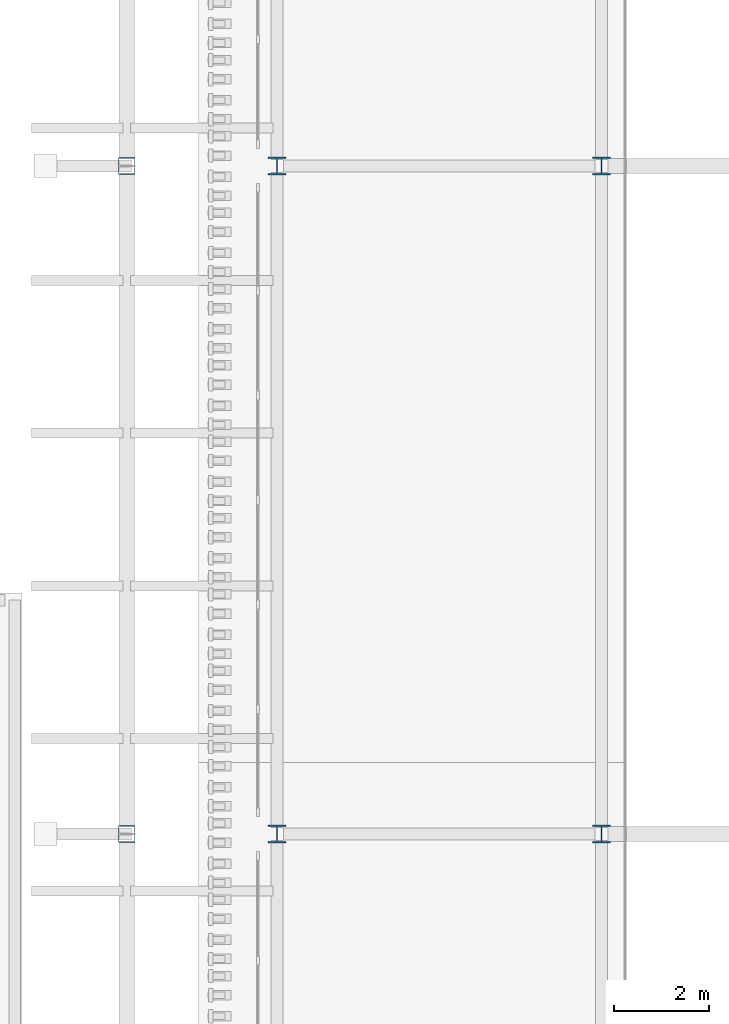
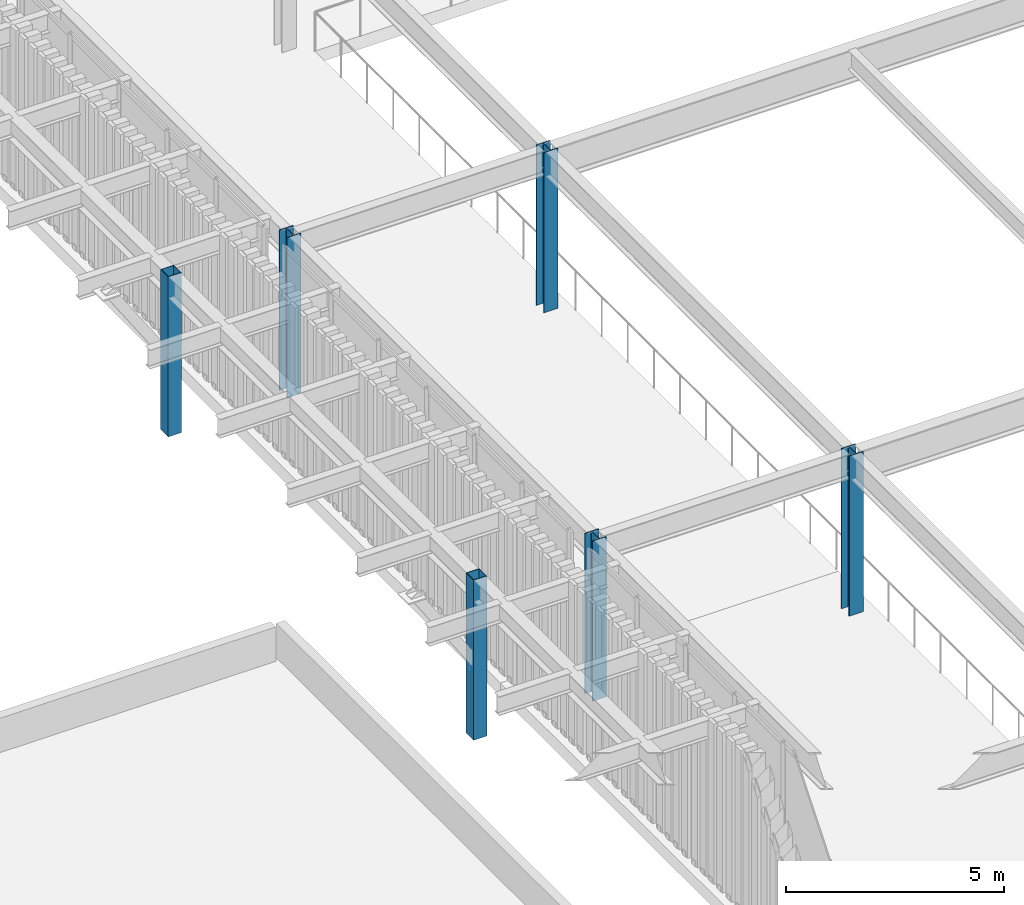
# One storey, part 6 of 126: 6 columns.
"""IFC4 building model written with IfcOpenShell, lengths in metres."""

import ifcopenshell
import ifcopenshell.guid

model = None  # the IFC model being written
_history = None  # IfcOwnerHistory: only IFC2X3 demands one
_inside = {}  # id of a spatial element -> (the spatial element, [elements in it])
_under = {}  # id of a project, library or spatial element -> (it, [spatial elements below it])
_declared = {}  # id of a project -> (the project, [libraries it declares])
_typed = {}  # id of a type object -> (the type object, [elements of that type])
_made_of = {}  # id of a material, layer set ... -> (it, [elements and type objects made of it])


def new_model(schema):
    """Start an empty IFC model of exactly this schema.

    Asked for "IFC4X3", IfcOpenShell would pick the latest addendum, in which some entities
    have other attributes; the version numbers below select the first issue.
    IFC2X3 requires an IfcOwnerHistory on every rooted entity: one is made here for all.
    """
    global model, _history
    if schema == "IFC4X3":
        model = ifcopenshell.file(schema_version=(4, 3, 0, 0))
    else:
        model = ifcopenshell.file(schema=schema)
    _inside.clear()
    _under.clear()
    _declared.clear()
    _typed.clear()
    _made_of.clear()
    _history = None
    if model.schema == "IFC2X3":
        org = make("IfcOrganization", Name="unknown")
        user = make(
            "IfcPersonAndOrganization",
            ThePerson=make("IfcPerson", FamilyName="unknown"),
            TheOrganization=org,
        )
        app = make(
            "IfcApplication",
            ApplicationDeveloper=org,
            Version="unknown",
            ApplicationFullName="unknown",
            ApplicationIdentifier="unknown",
        )
        _history = make(
            "IfcOwnerHistory",
            OwningUser=user,
            OwningApplication=app,
            ChangeAction="ADDED",
            CreationDate=0,
        )
    return model


def make(cls, **values):
    """One entity of the class cls with the attributes given. An attribute that is None is left unset."""
    return model.create_entity(
        cls, **{name: value for name, value in values.items() if value is not None}
    )


def rooted(cls, **values):
    """An entity with a GlobalId (a new one), such as an element, a storey or a relation."""
    return make(cls, GlobalId=ifcopenshell.guid.new(), OwnerHistory=_history, **values)


def si_unit(unit_type, name, prefix=None):
    """IfcSIUnit, for example si_unit("LENGTHUNIT", "METRE", prefix="MILLI")."""
    return make("IfcSIUnit", UnitType=unit_type, Prefix=prefix, Name=name)


def derived_unit(unit_type, elements):
    """IfcDerivedUnit: a product of units, each with its exponent."""
    return make(
        "IfcDerivedUnit",
        Elements=[
            make("IfcDerivedUnitElement", Unit=unit, Exponent=power)
            for unit, power in elements
        ],
        UnitType=unit_type,
    )


def assignment(units):
    """IfcUnitAssignment: the units of a project."""
    return None if units is None else make("IfcUnitAssignment", Units=units)


def point(xyz):
    """IfcCartesianPoint."""
    return None if xyz is None else make("IfcCartesianPoint", Coordinates=xyz)


def direction(xyz):
    """IfcDirection."""
    return None if xyz is None else make("IfcDirection", DirectionRatios=xyz)


def frame(location, z_axis=None, x_axis=None):
    """IfcAxis2Placement3D, a coordinate frame: its origin and axes. An axis left out is left unset."""
    return make(
        "IfcAxis2Placement3D",
        Location=point(location),
        Axis=direction(z_axis),
        RefDirection=direction(x_axis),
    )


def frame_2d(location, x_axis=None):
    """IfcAxis2Placement2D, a coordinate frame in the plane: its origin and x axis."""
    return make(
        "IfcAxis2Placement2D", Location=point(location), RefDirection=direction(x_axis)
    )


def origin():
    """The frame at (0, 0, 0) with its axes left unset."""
    return frame((0.0, 0.0, 0.0))


def origin_2d():
    """The frame at (0, 0) in the plane with its x axis left unset."""
    return frame_2d((0.0, 0.0))


def place(relative_to, where):
    """IfcLocalPlacement: puts the frame where relative to a parent placement (None: the world)."""
    return make(
        "IfcLocalPlacement", PlacementRelTo=relative_to, RelativePlacement=where
    )


def context(
    kind, dimensions, precision=None, world=None, true_north=None, identifier=None
):
    """IfcGeometricRepresentationContext, for example the 3D "Model" context."""
    return make(
        "IfcGeometricRepresentationContext",
        ContextIdentifier=identifier,
        ContextType=kind,
        CoordinateSpaceDimension=dimensions,
        Precision=precision,
        WorldCoordinateSystem=world,
        TrueNorth=true_north,
    )


def subcontext(parent, identifier, kind, view, scale=None):
    """IfcGeometricRepresentationSubContext, for example "Body" below "Model"."""
    return make(
        "IfcGeometricRepresentationSubContext",
        ContextIdentifier=identifier,
        ContextType=kind,
        ParentContext=parent,
        TargetScale=scale,
        TargetView=view,
    )


def project(units=None, contexts=None):
    """IfcProject with its units and contexts."""
    return rooted(
        "IfcProject",
        Name="project",
        RepresentationContexts=contexts,
        UnitsInContext=assignment(units),
    )


def spatial(cls, under=None, at=None, **own):
    """A site, building, storey or space (cls), placed at a placement, below another one or the project."""
    s = rooted(cls, ObjectPlacement=at, **own)
    if under is not None:
        _under.setdefault(under.id(), (under, []))[1].append(s)
    return s


def profile(cls, at=None, kind="AREA", **sizes):
    """A parametric profile (cls). Its sizes go by their IFC names, for example OverallWidth=200.0."""
    return make(cls, ProfileType=kind, Position=at, **sizes)


def hollow_rectangle(**sizes):
    """IfcRectangleHollowProfileDef."""
    return profile("IfcRectangleHollowProfileDef", **sizes)


def i_section(**sizes):
    """IfcIShapeProfileDef."""
    return profile("IfcIShapeProfileDef", **sizes)


def extrude(swept, where, along, depth):
    """IfcExtrudedAreaSolid: the profile swept, set in the frame where, extruded along a direction by depth."""
    return make(
        "IfcExtrudedAreaSolid",
        SweptArea=swept,
        Position=where,
        ExtrudedDirection=direction(along),
        Depth=depth,
    )


def shape(context_of_items, identifier, shape_type, items):
    """IfcShapeRepresentation: the items that make up one representation, for example the "Body"."""
    return make(
        "IfcShapeRepresentation",
        ContextOfItems=context_of_items,
        RepresentationIdentifier=identifier,
        RepresentationType=shape_type,
        Items=items,
    )


def material(Name=None, Category=None):
    """IfcMaterial."""
    return make("IfcMaterial", Name=Name, Category=Category)


def material_profile(
    of_material, cross_section, Name=None, Category=None, Priority=None
):
    """IfcMaterialProfile: a cross section and its material."""
    return make(
        "IfcMaterialProfile",
        Name=Name,
        Material=of_material,
        Profile=cross_section,
        Priority=Priority,
        Category=Category,
    )


def profile_set(profiles, Name=None, composite=None):
    """IfcMaterialProfileSet."""
    return make(
        "IfcMaterialProfileSet",
        Name=Name,
        MaterialProfiles=profiles,
        CompositeProfile=composite,
    )


def made_of(thing, what):
    """Note that an element or type object is made of a material, layer set ...; save() writes the relation."""
    if what is not None:
        _made_of.setdefault(what.id(), (what, []))[1].append(thing)
    return thing


def type_object(cls, material=None, **own):
    """A type object (cls), such as IfcWallType, which elements share."""
    return made_of(rooted(cls, **own), material)


def element(
    cls,
    number,
    at=None,
    inside=None,
    cuts=None,
    type_object=None,
    material=None,
    context=None,
    identifier="Body",
    shape_type=None,
    held_by="IfcProductDefinitionShape",
    body=None,
    shapes=None,
    **own,
):
    """One element of the class cls, such as IfcWall. Its Tag is "e" and its number.

    at: its placement. inside: the storey or other place that contains it. cuts: it is an
    opening in that element (IfcRelVoidsElement). A single representation is given by context,
    identifier, shape_type and body (its items); several are given by shapes. held_by: the class
    of the entity that holds the representations. save() writes the other relations.
    """
    e = rooted(cls, Tag="e%d" % number, ObjectPlacement=at, **own)
    if body is not None:
        shapes = [shape(context, identifier, shape_type, body)]
    if shapes is not None:
        e.Representation = make(held_by, Representations=shapes)
    if inside is not None:
        _inside.setdefault(inside.id(), (inside, []))[1].append(e)
    if cuts is not None:
        rooted(
            "IfcRelVoidsElement", RelatingBuildingElement=cuts, RelatedOpeningElement=e
        )
    if type_object is not None:
        _typed.setdefault(type_object.id(), (type_object, []))[1].append(e)
    return made_of(e, material)


def aggregate(whole, parts):
    """IfcRelAggregates: a whole, such as a stair, and the parts it consists of."""
    return rooted("IfcRelAggregates", RelatingObject=whole, RelatedObjects=parts)


def save(model, path):
    """Write the relations noted so far, then the file.

    IfcRelAggregates (storeys below a building ...), IfcRelContainedInSpatialStructure (elements
    in a storey), IfcRelDefinesByType, IfcRelAssociatesMaterial and IfcRelDeclares: one each for
    every whole, place, type object, material and project.
    """
    for whole, parts in _under.values():
        aggregate(whole, parts)
    for where, things in _inside.values():
        rooted(
            "IfcRelContainedInSpatialStructure",
            RelatedElements=things,
            RelatingStructure=where,
        )
    for kind, things in _typed.values():
        rooted("IfcRelDefinesByType", RelatedObjects=things, RelatingType=kind)
    for what, things in _made_of.values():
        rooted("IfcRelAssociatesMaterial", RelatedObjects=things, RelatingMaterial=what)
    for by, libraries in _declared.values():
        rooted("IfcRelDeclares", RelatingContext=by, RelatedDefinitions=libraries)
    model.write(path)


model = new_model("IFC4")

# Units and contexts
model_context = context("Model", 3, precision=1e-05, world=origin(), true_north=direction((0.0, 1.0)))
body_context = subcontext(model_context, "Body", "Model", "MODEL_VIEW")
ifc_project = project(units=[si_unit("LENGTHUNIT", "METRE"), si_unit("AREAUNIT", "SQUARE_METRE"), si_unit("VOLUMEUNIT", "CUBIC_METRE"), si_unit("PLANEANGLEUNIT", "RADIAN"), si_unit("MASSUNIT", "GRAM", prefix="KILO"), derived_unit("THERMALTRANSMITTANCEUNIT", [(si_unit("MASSUNIT", "GRAM", prefix="KILO"), 1), (si_unit("TIMEUNIT", "SECOND"), -3), (si_unit("THERMODYNAMICTEMPERATUREUNIT", "KELVIN"), -1)])], contexts=[model_context])

# Site, building, storey
site_placement = place(None, origin())
site = spatial("IfcSite", under=ifc_project, at=site_placement, CompositionType="ELEMENT")
building_placement = place(site_placement, origin())
building = spatial("IfcBuilding", under=site, at=building_placement, Name="Valcora Ridge Arena", CompositionType="ELEMENT")
storey_placement = place(building_placement, frame((0.0, 0.0, 11.39990234375)))
storey = spatial("IfcBuildingStorey", under=building, at=storey_placement, Name="L02", CompositionType="ELEMENT", Elevation=11.39990234375)

# Columns
ifc_material_1 = material(Name="Steel ASTM A500 Grade C", Category="steel")
ifc_material_profile_1 = material_profile(ifc_material_1, hollow_rectangle(XDim=0.35009765625, YDim=0.35009765625, WallThickness=0.01611328125, at=origin_2d()), Name="HSS350X350X16")
ifc_profile_set_1 = profile_set([ifc_material_profile_1], Name="Steel ASTM A500 Grade C")
column_type_1 = type_object("IfcColumnType", Name="TY-COLUMN-C-COL350", PredefinedType="COLUMN", material=ifc_profile_set_1)
for number, where, z_axis, x_axis, name in (
    (1, (134.050048828125, 40.0, 0.0), (0.0, 0.0, 1.0), (1.0, 0.0, 0.0), "C-COL350 COL-C-COL350-0012"),
    (2, (134.050048828125, 54.0, 0.0), (0.0, 0.0, 1.0), (1.0, 0.0, 0.0), "C-COL350 COL-C-COL350-0015"),
):
    element("IfcColumn", number, at=place(storey_placement, frame(where, z_axis=z_axis, x_axis=x_axis)), inside=storey, type_object=column_type_1, Name=name, PredefinedType="COLUMN", context=body_context, shape_type="SweptSolid", body=[
        extrude(hollow_rectangle(XDim=0.35009765625, YDim=0.35009765625, WallThickness=0.01611328125, at=origin_2d()), origin(), (0.0, 0.0, 1.0), 4.47998046875),
    ])
ifc_material_2 = material(Name="Steel ASTM A572 Grade 50", Category="steel")
ifc_material_profile_2 = material_profile(ifc_material_2, i_section(OverallWidth=0.3740234375, OverallDepth=0.373046875, WebThickness=0.016357421875, FlangeThickness=0.026123046875, FilletRadius=0.01806640625, at=origin_2d()), Name="W14X132")
ifc_profile_set_2 = profile_set([ifc_material_profile_2], Name="Steel ASTM A572 Grade 50")
column_type_2 = type_object("IfcColumnType", Name="TY-COLUMN-C-STL14B", PredefinedType="COLUMN", material=ifc_profile_set_2)
for number, where, z_axis, x_axis, name in (
    (3, (137.199951171875, 40.0, 0.0), (0.0, 0.0, 1.0), (1.0, 0.0, 0.0), "C-STL14B COL-C-STL14B-0008"),
    (4, (137.199951171875, 54.0, 0.0), (0.0, 0.0, 1.0), (1.0, 0.0, 0.0), "C-STL14B COL-C-STL14B-0010"),
    (5, (144.0, 40.0, 0.0), (0.0, 0.0, 1.0), (1.0, 0.0, 0.0), "C-STL14B COL-C-STL14B-0022"),
    (6, (144.0, 54.0, 0.0), (0.0, 0.0, 1.0), (1.0, 0.0, 0.0), "C-STL14B COL-C-STL14B-0024"),
):
    element("IfcColumn", number, at=place(storey_placement, frame(where, z_axis=z_axis, x_axis=x_axis)), inside=storey, type_object=column_type_2, Name=name, PredefinedType="COLUMN", context=body_context, shape_type="SweptSolid", body=[
        extrude(i_section(OverallWidth=0.3740234375, OverallDepth=0.373046875, WebThickness=0.016357421875, FlangeThickness=0.026123046875, FilletRadius=0.01806640625, at=origin_2d()), origin(), (0.0, 0.0, 1.0), 4.47998046875),
    ])

save(model, "model.ifc")
